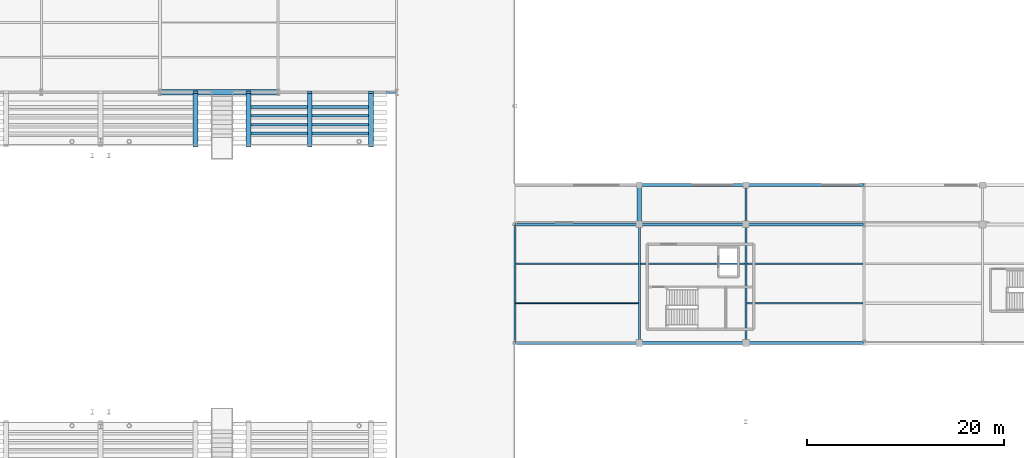
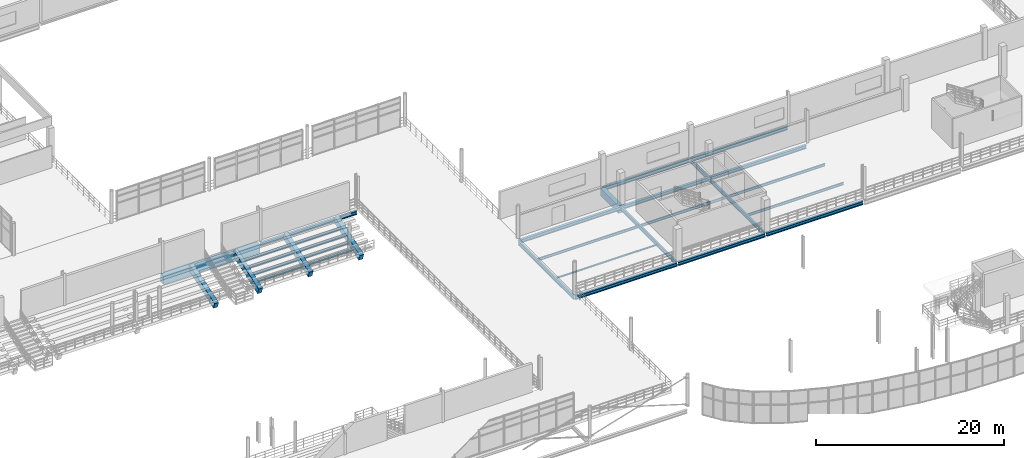
# One storey, part 35 of 89: 28 beams.
"""IFC4 building model written with IfcOpenShell, lengths in metres."""

import ifcopenshell
import ifcopenshell.guid

model = None  # the IFC model being written
_history = None  # IfcOwnerHistory: only IFC2X3 demands one
_inside = {}  # id of a spatial element -> (the spatial element, [elements in it])
_under = {}  # id of a project, library or spatial element -> (it, [spatial elements below it])
_declared = {}  # id of a project -> (the project, [libraries it declares])
_typed = {}  # id of a type object -> (the type object, [elements of that type])
_made_of = {}  # id of a material, layer set ... -> (it, [elements and type objects made of it])


def new_model(schema):
    """Start an empty IFC model of exactly this schema.

    Asked for "IFC4X3", IfcOpenShell would pick the latest addendum, in which some entities
    have other attributes; the version numbers below select the first issue.
    IFC2X3 requires an IfcOwnerHistory on every rooted entity: one is made here for all.
    """
    global model, _history
    if schema == "IFC4X3":
        model = ifcopenshell.file(schema_version=(4, 3, 0, 0))
    else:
        model = ifcopenshell.file(schema=schema)
    _inside.clear()
    _under.clear()
    _declared.clear()
    _typed.clear()
    _made_of.clear()
    _history = None
    if model.schema == "IFC2X3":
        org = make("IfcOrganization", Name="unknown")
        user = make(
            "IfcPersonAndOrganization",
            ThePerson=make("IfcPerson", FamilyName="unknown"),
            TheOrganization=org,
        )
        app = make(
            "IfcApplication",
            ApplicationDeveloper=org,
            Version="unknown",
            ApplicationFullName="unknown",
            ApplicationIdentifier="unknown",
        )
        _history = make(
            "IfcOwnerHistory",
            OwningUser=user,
            OwningApplication=app,
            ChangeAction="ADDED",
            CreationDate=0,
        )
    return model


def make(cls, **values):
    """One entity of the class cls with the attributes given. An attribute that is None is left unset."""
    return model.create_entity(
        cls, **{name: value for name, value in values.items() if value is not None}
    )


def rooted(cls, **values):
    """An entity with a GlobalId (a new one), such as an element, a storey or a relation."""
    return make(cls, GlobalId=ifcopenshell.guid.new(), OwnerHistory=_history, **values)


def si_unit(unit_type, name, prefix=None):
    """IfcSIUnit, for example si_unit("LENGTHUNIT", "METRE", prefix="MILLI")."""
    return make("IfcSIUnit", UnitType=unit_type, Prefix=prefix, Name=name)


def assignment(units):
    """IfcUnitAssignment: the units of a project."""
    return None if units is None else make("IfcUnitAssignment", Units=units)


def point(xyz):
    """IfcCartesianPoint."""
    return None if xyz is None else make("IfcCartesianPoint", Coordinates=xyz)


def direction(xyz):
    """IfcDirection."""
    return None if xyz is None else make("IfcDirection", DirectionRatios=xyz)


def frame(location, z_axis=None, x_axis=None):
    """IfcAxis2Placement3D, a coordinate frame: its origin and axes. An axis left out is left unset."""
    return make(
        "IfcAxis2Placement3D",
        Location=point(location),
        Axis=direction(z_axis),
        RefDirection=direction(x_axis),
    )


def frame_2d(location, x_axis=None):
    """IfcAxis2Placement2D, a coordinate frame in the plane: its origin and x axis."""
    return make(
        "IfcAxis2Placement2D", Location=point(location), RefDirection=direction(x_axis)
    )


def origin():
    """The frame at (0, 0, 0) with its axes left unset."""
    return frame((0.0, 0.0, 0.0))


def origin_2d():
    """The frame at (0, 0) in the plane with its x axis left unset."""
    return frame_2d((0.0, 0.0))


def place(relative_to, where):
    """IfcLocalPlacement: puts the frame where relative to a parent placement (None: the world)."""
    return make(
        "IfcLocalPlacement", PlacementRelTo=relative_to, RelativePlacement=where
    )


def context(
    kind, dimensions, precision=None, world=None, true_north=None, identifier=None
):
    """IfcGeometricRepresentationContext, for example the 3D "Model" context."""
    return make(
        "IfcGeometricRepresentationContext",
        ContextIdentifier=identifier,
        ContextType=kind,
        CoordinateSpaceDimension=dimensions,
        Precision=precision,
        WorldCoordinateSystem=world,
        TrueNorth=true_north,
    )


def subcontext(parent, identifier, kind, view, scale=None):
    """IfcGeometricRepresentationSubContext, for example "Body" below "Model"."""
    return make(
        "IfcGeometricRepresentationSubContext",
        ContextIdentifier=identifier,
        ContextType=kind,
        ParentContext=parent,
        TargetScale=scale,
        TargetView=view,
    )


def project(units=None, contexts=None):
    """IfcProject with its units and contexts."""
    return rooted(
        "IfcProject",
        Name="project",
        RepresentationContexts=contexts,
        UnitsInContext=assignment(units),
    )


def spatial(cls, under=None, at=None, **own):
    """A site, building, storey or space (cls), placed at a placement, below another one or the project."""
    s = rooted(cls, ObjectPlacement=at, **own)
    if under is not None:
        _under.setdefault(under.id(), (under, []))[1].append(s)
    return s


def profile(cls, at=None, kind="AREA", **sizes):
    """A parametric profile (cls). Its sizes go by their IFC names, for example OverallWidth=200.0."""
    return make(cls, ProfileType=kind, Position=at, **sizes)


def rectangle(**sizes):
    """IfcRectangleProfileDef."""
    return profile("IfcRectangleProfileDef", **sizes)


def i_section(**sizes):
    """IfcIShapeProfileDef."""
    return profile("IfcIShapeProfileDef", **sizes)


def extrude(swept, where, along, depth):
    """IfcExtrudedAreaSolid: the profile swept, set in the frame where, extruded along a direction by depth."""
    return make(
        "IfcExtrudedAreaSolid",
        SweptArea=swept,
        Position=where,
        ExtrudedDirection=direction(along),
        Depth=depth,
    )


def shape(context_of_items, identifier, shape_type, items):
    """IfcShapeRepresentation: the items that make up one representation, for example the "Body"."""
    return make(
        "IfcShapeRepresentation",
        ContextOfItems=context_of_items,
        RepresentationIdentifier=identifier,
        RepresentationType=shape_type,
        Items=items,
    )


def material(Name=None, Category=None):
    """IfcMaterial."""
    return make("IfcMaterial", Name=Name, Category=Category)


def material_profile(
    of_material, cross_section, Name=None, Category=None, Priority=None
):
    """IfcMaterialProfile: a cross section and its material."""
    return make(
        "IfcMaterialProfile",
        Name=Name,
        Material=of_material,
        Profile=cross_section,
        Priority=Priority,
        Category=Category,
    )


def profile_set(profiles, Name=None, composite=None):
    """IfcMaterialProfileSet."""
    return make(
        "IfcMaterialProfileSet",
        Name=Name,
        MaterialProfiles=profiles,
        CompositeProfile=composite,
    )


def made_of(thing, what):
    """Note that an element or type object is made of a material, layer set ...; save() writes the relation."""
    if what is not None:
        _made_of.setdefault(what.id(), (what, []))[1].append(thing)
    return thing


def type_object(cls, material=None, **own):
    """A type object (cls), such as IfcWallType, which elements share."""
    return made_of(rooted(cls, **own), material)


def element(
    cls,
    number,
    at=None,
    inside=None,
    cuts=None,
    type_object=None,
    material=None,
    context=None,
    identifier="Body",
    shape_type=None,
    held_by="IfcProductDefinitionShape",
    body=None,
    shapes=None,
    **own,
):
    """One element of the class cls, such as IfcWall. Its Tag is "e" and its number.

    at: its placement. inside: the storey or other place that contains it. cuts: it is an
    opening in that element (IfcRelVoidsElement). A single representation is given by context,
    identifier, shape_type and body (its items); several are given by shapes. held_by: the class
    of the entity that holds the representations. save() writes the other relations.
    """
    e = rooted(cls, Tag="e%d" % number, ObjectPlacement=at, **own)
    if body is not None:
        shapes = [shape(context, identifier, shape_type, body)]
    if shapes is not None:
        e.Representation = make(held_by, Representations=shapes)
    if inside is not None:
        _inside.setdefault(inside.id(), (inside, []))[1].append(e)
    if cuts is not None:
        rooted(
            "IfcRelVoidsElement", RelatingBuildingElement=cuts, RelatedOpeningElement=e
        )
    if type_object is not None:
        _typed.setdefault(type_object.id(), (type_object, []))[1].append(e)
    return made_of(e, material)


def aggregate(whole, parts):
    """IfcRelAggregates: a whole, such as a stair, and the parts it consists of."""
    return rooted("IfcRelAggregates", RelatingObject=whole, RelatedObjects=parts)


def save(model, path):
    """Write the relations noted so far, then the file.

    IfcRelAggregates (storeys below a building ...), IfcRelContainedInSpatialStructure (elements
    in a storey), IfcRelDefinesByType, IfcRelAssociatesMaterial and IfcRelDeclares: one each for
    every whole, place, type object, material and project.
    """
    for whole, parts in _under.values():
        aggregate(whole, parts)
    for where, things in _inside.values():
        rooted(
            "IfcRelContainedInSpatialStructure",
            RelatedElements=things,
            RelatingStructure=where,
        )
    for kind, things in _typed.values():
        rooted("IfcRelDefinesByType", RelatedObjects=things, RelatingType=kind)
    for what, things in _made_of.values():
        rooted("IfcRelAssociatesMaterial", RelatedObjects=things, RelatingMaterial=what)
    for by, libraries in _declared.values():
        rooted("IfcRelDeclares", RelatingContext=by, RelatedDefinitions=libraries)
    model.write(path)


model = new_model("IFC4")

# Units and contexts
model_context = context("Model", 3, precision=1e-05, world=origin(), true_north=direction((0.0, 1.0)))
body_context = subcontext(model_context, "Body", "Model", "MODEL_VIEW")
ifc_project = project(units=[si_unit("LENGTHUNIT", "METRE"), si_unit("AREAUNIT", "SQUARE_METRE"), si_unit("VOLUMEUNIT", "CUBIC_METRE"), si_unit("PLANEANGLEUNIT", "RADIAN"), si_unit("MASSUNIT", "GRAM", prefix="KILO"), si_unit("THERMODYNAMICTEMPERATUREUNIT", "KELVIN"), si_unit("POWERUNIT", "WATT")], contexts=[model_context])

# Site, building, storey
site_placement = place(None, origin())
site = spatial("IfcSite", under=ifc_project, at=site_placement, CompositionType="ELEMENT")
building_placement = place(site_placement, origin())
building = spatial("IfcBuilding", under=site, at=building_placement, Name="Solmara Park Aquatics Centre", CompositionType="ELEMENT")
storey_placement = place(building_placement, frame((0.0, 0.0, 5.39990234375)))
storey = spatial("IfcBuildingStorey", under=building, at=storey_placement, Name="L01", CompositionType="ELEMENT", Elevation=5.39990234375)

# Beams
ifc_material_1 = material(Name="Structural Steel S355", Category="steel")
ifc_material_profile_1 = material_profile(ifc_material_1, i_section(OverallWidth=0.280029296875, OverallDepth=0.27001953125, WebThickness=0.008056640625, FlangeThickness=0.012939453125, FilletRadius=0.02392578125, at=origin_2d()), Name="HEA 280")
ifc_profile_set_1 = profile_set([ifc_material_profile_1], Name="Structural Steel S355")
beam_type_1 = type_object("IfcBeamType", Name="STR-BM-HEA280", PredefinedType="BEAM", material=ifc_profile_set_1)
for number, where, z_axis, x_axis, name in (
    (1, (69.60009765625, 57.81494140625, -1.954833984375), (1.0, 0.0, 0.0), (0.0, 1.0, 0.0), "Lower Stand Cross-Tie Girder N3 Row 2"),
    (2, (69.60009765625, 58.715087890625, -1.594970703125), (1.0, 0.0, 0.0), (0.0, 1.0, 0.0), "Lower Stand Cross-Tie Girder N3 Row 3"),
    (3, (69.60009765625, 59.614990234375, -1.23486328125), (1.0, 0.0, 0.0), (0.0, 1.0, 0.0), "Lower Stand Cross-Tie Girder N3 Row 4"),
    (4, (69.60009765625, 60.514892578125, -0.875), (1.0, 0.0, 0.0), (0.0, 1.0, 0.0), "Lower Stand Cross-Tie Girder N3 Row 5"),
):
    element("IfcBeam", number, at=place(storey_placement, frame(where, z_axis=z_axis, x_axis=x_axis)), inside=storey, type_object=beam_type_1, Name=name, PredefinedType="BEAM", context=body_context, shape_type="SweptSolid", body=[
        extrude(i_section(OverallWidth=0.280029296875, OverallDepth=0.27001953125, WebThickness=0.008056640625, FlangeThickness=0.012939453125, FilletRadius=0.02392578125, at=origin_2d()), origin(), (0.0, 0.0, 1.0), 12.39990234375),
    ])
ifc_material_profile_2 = material_profile(ifc_material_1, i_section(OverallWidth=0.300048828125, OverallDepth=0.43994140625, WebThickness=0.011474609375, FlangeThickness=0.02099609375, FilletRadius=0.027099609375, at=origin_2d()), Name="HEA 450")
ifc_profile_set_2 = profile_set([ifc_material_profile_2], Name="Structural Steel S355")
beam_type_2 = type_object("IfcBeamType", Name="STR-BM-HEA450", PredefinedType="BEAM", material=ifc_profile_set_2)
beam_1_placement = place(storey_placement, frame((96.679931640625, 36.60009765625, -0.539794921875), z_axis=(1.0, 0.0, 0.0), x_axis=(0.0, 1.0, 0.0)))
element("IfcBeam", 5, at=beam_1_placement, inside=storey, type_object=beam_type_2, Name="Girder BM-L01-0201", PredefinedType="BEAM", context=body_context, shape_type="SweptSolid", body=[
    extrude(i_section(OverallWidth=0.300048828125, OverallDepth=0.43994140625, WebThickness=0.011474609375, FlangeThickness=0.02099609375, FilletRadius=0.027099609375, at=origin_2d()), origin(), (0.0, 0.0, 1.0), 12.440185546875),
])
beam_2_placement = place(storey_placement, frame((109.280029296875, 36.60009765625, -0.539794921875), z_axis=(1.0, 0.0, 0.0), x_axis=(0.0, 1.0, 0.0)))
element("IfcBeam", 6, at=beam_2_placement, inside=storey, type_object=beam_type_2, Name="Girder BM-L01-0202", PredefinedType="BEAM", context=body_context, shape_type="SweptSolid", body=[
    extrude(i_section(OverallWidth=0.300048828125, OverallDepth=0.43994140625, WebThickness=0.011474609375, FlangeThickness=0.02099609375, FilletRadius=0.027099609375, at=origin_2d()), origin(), (0.0, 0.0, 1.0), 10.639892578125),
])
beam_3_placement = place(storey_placement, frame((120.080078125, 36.60009765625, -0.539794921875), z_axis=(1.0, 0.0, 0.0), x_axis=(0.0, 1.0, 0.0)))
element("IfcBeam", 7, at=beam_3_placement, inside=storey, type_object=beam_type_2, Name="Girder BM-L01-0203", PredefinedType="BEAM", context=body_context, shape_type="SweptSolid", body=[
    extrude(i_section(OverallWidth=0.300048828125, OverallDepth=0.43994140625, WebThickness=0.011474609375, FlangeThickness=0.02099609375, FilletRadius=0.027099609375, at=origin_2d()), origin(), (0.0, 0.0, 1.0), 11.83984375),
])
beam_4_placement = place(storey_placement, frame((96.679931640625, 48.60009765625, -0.539794921875), z_axis=(1.0, 0.0, 0.0), x_axis=(0.0, 1.0, 0.0)))
element("IfcBeam", 8, at=beam_4_placement, inside=storey, type_object=beam_type_2, Name="Girder BM-L01-0206", PredefinedType="BEAM", context=body_context, shape_type="SweptSolid", body=[
    extrude(i_section(OverallWidth=0.300048828125, OverallDepth=0.43994140625, WebThickness=0.011474609375, FlangeThickness=0.02099609375, FilletRadius=0.027099609375, at=origin_2d()), origin(), (0.0, 0.0, 1.0), 12.440185546875),
])
beam_5_placement = place(storey_placement, frame((109.280029296875, 48.60009765625, -0.539794921875), z_axis=(1.0, 0.0, 0.0), x_axis=(0.0, 1.0, 0.0)))
element("IfcBeam", 9, at=beam_5_placement, inside=storey, type_object=beam_type_2, Name="Girder BM-L01-0207", PredefinedType="BEAM", context=body_context, shape_type="SweptSolid", body=[
    extrude(i_section(OverallWidth=0.300048828125, OverallDepth=0.43994140625, WebThickness=0.011474609375, FlangeThickness=0.02099609375, FilletRadius=0.027099609375, at=origin_2d()), origin(), (0.0, 0.0, 1.0), 10.639892578125),
])
beam_6_placement = place(storey_placement, frame((120.080078125, 48.60009765625, -0.539794921875), z_axis=(1.0, 0.0, 0.0), x_axis=(0.0, 1.0, 0.0)))
element("IfcBeam", 10, at=beam_6_placement, inside=storey, type_object=beam_type_2, Name="Girder BM-L01-0208", PredefinedType="BEAM", context=body_context, shape_type="SweptSolid", body=[
    extrude(i_section(OverallWidth=0.300048828125, OverallDepth=0.43994140625, WebThickness=0.011474609375, FlangeThickness=0.02099609375, FilletRadius=0.027099609375, at=origin_2d()), origin(), (0.0, 0.0, 1.0), 11.83984375),
])
beam_7_placement = place(storey_placement, frame((109.280029296875, 52.60009765625, -0.539794921875), z_axis=(1.0, 0.0, 0.0), x_axis=(0.0, 1.0, 0.0)))
element("IfcBeam", 11, at=beam_7_placement, inside=storey, type_object=beam_type_2, Name="Girder BM-L01-0211", PredefinedType="BEAM", context=body_context, shape_type="SweptSolid", body=[
    extrude(i_section(OverallWidth=0.300048828125, OverallDepth=0.43994140625, WebThickness=0.011474609375, FlangeThickness=0.02099609375, FilletRadius=0.027099609375, at=origin_2d()), origin(), (0.0, 0.0, 1.0), 10.639892578125),
])
beam_8_placement = place(storey_placement, frame((120.080078125, 52.60009765625, -0.539794921875), z_axis=(1.0, 0.0, 0.0), x_axis=(0.0, 1.0, 0.0)))
element("IfcBeam", 12, at=beam_8_placement, inside=storey, type_object=beam_type_2, Name="Girder BM-L01-0212", PredefinedType="BEAM", context=body_context, shape_type="SweptSolid", body=[
    extrude(i_section(OverallWidth=0.300048828125, OverallDepth=0.43994140625, WebThickness=0.011474609375, FlangeThickness=0.02099609375, FilletRadius=0.027099609375, at=origin_2d()), origin(), (0.0, 0.0, 1.0), 11.83984375),
])
ifc_material_profile_3 = material_profile(ifc_material_1, i_section(OverallWidth=0.300048828125, OverallDepth=0.449951171875, WebThickness=0.013916015625, FlangeThickness=0.02587890625, FilletRadius=0.027099609375, at=origin_2d()), Name="HEB 450")
ifc_profile_set_3 = profile_set([ifc_material_profile_3], Name="Structural Steel S355")
beam_type_3 = type_object("IfcBeamType", Name="STR-BM-HEB450", PredefinedType="BEAM", material=ifc_profile_set_3)
beam_9_placement = place(storey_placement, frame((72.679931640625, 62.0, -0.625), z_axis=(1.0, 0.0, 0.0), x_axis=(0.0, 1.0, 0.0)))
element("IfcBeam", 13, at=beam_9_placement, inside=storey, type_object=beam_type_3, Name="Girder BM-L01-0181", PredefinedType="BEAM", context=body_context, shape_type="SweptSolid", body=[
    extrude(i_section(OverallWidth=0.300048828125, OverallDepth=0.449951171875, WebThickness=0.013916015625, FlangeThickness=0.02587890625, FilletRadius=0.027099609375, at=origin_2d()), origin(), (0.0, 0.0, 1.0), 11.840087890625),
])
ifc_material_profile_4 = material_profile(ifc_material_1, i_section(OverallWidth=0.199951171875, OverallDepth=0.5, WebThickness=0.01025390625, FlangeThickness=0.01611328125, FilletRadius=0.02099609375, at=origin_2d()), Name="IPE 500")
ifc_profile_set_4 = profile_set([ifc_material_profile_4], Name="Structural Steel S355")
beam_type_4 = type_object("IfcBeamType", Name="STR-BM-IPE500", PredefinedType="BEAM", material=ifc_profile_set_4)
for number, where, z_axis, x_axis, name in (
    (14, (96.60009765625, 36.679931640625, -0.56982421875), (0.0, 1.0, 0.0), (-1.0, 0.0, 0.0), "Girder BM-L01-0215"),
    (15, (109.199951171875, 36.679931640625, -0.56982421875), (0.0, 1.0, 0.0), (-1.0, 0.0, 0.0), "Girder BM-L01-0216"),
    (16, (120.0, 36.679931640625, -0.56982421875), (0.0, 1.0, 0.0), (-1.0, 0.0, 0.0), "Girder BM-L01-0218"),
):
    element("IfcBeam", number, at=place(storey_placement, frame(where, z_axis=z_axis, x_axis=x_axis)), inside=storey, type_object=beam_type_4, Name=name, PredefinedType="BEAM", context=body_context, shape_type="SweptSolid", body=[
        extrude(i_section(OverallWidth=0.199951171875, OverallDepth=0.5, WebThickness=0.01025390625, FlangeThickness=0.01611328125, FilletRadius=0.02099609375, at=origin_2d()), origin(), (0.0, 0.0, 1.0), 11.840087890625),
    ])
beam_10_placement = place(storey_placement, frame((120.0, 48.679931640625, -0.56982421875), z_axis=(0.0, 1.0, 0.0), x_axis=(-1.0, 0.0, 0.0)))
element("IfcBeam", 17, at=beam_10_placement, inside=storey, type_object=beam_type_4, Name="Girder BM-L01-0219", PredefinedType="BEAM", context=body_context, shape_type="SweptSolid", body=[
    extrude(i_section(OverallWidth=0.199951171875, OverallDepth=0.5, WebThickness=0.01025390625, FlangeThickness=0.01611328125, FilletRadius=0.02099609375, at=origin_2d()), origin(), (0.0, 0.0, 1.0), 3.840087890625),
])
ifc_material_2 = material(Name="Concrete C40/50", Category="concrete")
ifc_material_profile_5 = material_profile(ifc_material_2, rectangle(XDim=0.5, YDim=0.949951171875, at=origin_2d()), Name="RC 500x950")
ifc_profile_set_5 = profile_set([ifc_material_profile_5], Name="Concrete C40/50")
beam_type_5 = type_object("IfcBeamType", Name="STR-BM-RC500x950", PredefinedType="BEAM", material=ifc_profile_set_5)
beam_11_placement = place(storey_placement, frame((109.199951171875, 48.679931640625, -0.794921875), z_axis=(0.0, 1.0, 0.0), x_axis=(-1.0, 0.0, 0.0)))
element("IfcBeam", 18, at=beam_11_placement, inside=storey, type_object=beam_type_5, Name="Girder BM-L01-0217", PredefinedType="BEAM", context=body_context, shape_type="SweptSolid", body=[
    extrude(rectangle(XDim=0.5, YDim=0.949951171875, at=origin_2d()), origin(), (0.0, 0.0, 1.0), 3.840087890625),
])
ifc_material_profile_6 = material_profile(ifc_material_2, rectangle(XDim=0.60009765625, YDim=1.10009765625, at=origin_2d()), Name="RC 600x1100")
ifc_profile_set_6 = profile_set([ifc_material_profile_6], Name="Concrete C40/50")
beam_type_6 = type_object("IfcBeamType", Name="STR-BM-RC600x1100", PredefinedType="BEAM", material=ifc_profile_set_6)
beam_12_placement = place(storey_placement, frame((60.679931640625, 62.0, -0.949951171875), z_axis=(1.0, 0.0, 0.0), x_axis=(0.0, 1.0, 0.0)))
element("IfcBeam", 19, at=beam_12_placement, inside=storey, type_object=beam_type_6, Name="Girder BM-L01-0180", PredefinedType="BEAM", context=body_context, shape_type="SweptSolid", body=[
    extrude(rectangle(XDim=0.60009765625, YDim=1.10009765625, at=origin_2d()), origin(), (0.0, 0.0, 1.0), 11.840087890625),
])
ifc_material_profile_7 = material_profile(ifc_material_1, i_section(OverallWidth=0.10009765625, OverallDepth=0.199951171875, WebThickness=0.005615234375, FlangeThickness=0.008544921875, FilletRadius=0.011962890625, at=origin_2d()), Name="IPE 200")
ifc_profile_set_7 = profile_set([ifc_material_profile_7], Name="Structural Steel S355")
beam_type_7 = type_object("IfcBeamType", Name="STR-JST-IPE200", PredefinedType="JOIST", material=ifc_profile_set_7)
beam_13_placement = place(storey_placement, frame((96.699951171875, 40.60009765625, -0.419921875), z_axis=(1.0, 0.0, 0.0), x_axis=(0.0, 1.0, 0.0)))
element("IfcBeam", 20, at=beam_13_placement, inside=storey, type_object=beam_type_7, Name="Floor Joist JST-L01-0124", PredefinedType="JOIST", context=body_context, shape_type="SweptSolid", body=[
    extrude(i_section(OverallWidth=0.10009765625, OverallDepth=0.199951171875, WebThickness=0.005615234375, FlangeThickness=0.008544921875, FilletRadius=0.011962890625, at=origin_2d()), origin(), (0.0, 0.0, 1.0), 12.400146484375),
])
ifc_material_profile_8 = material_profile(ifc_material_1, i_section(OverallWidth=0.159912109375, OverallDepth=0.330078125, WebThickness=0.007568359375, FlangeThickness=0.011474609375, FilletRadius=0.01806640625, at=origin_2d()), Name="IPE 330")
ifc_profile_set_8 = profile_set([ifc_material_profile_8], Name="Structural Steel S355")
beam_type_8 = type_object("IfcBeamType", Name="STR-JST-IPE330", PredefinedType="JOIST", material=ifc_profile_set_8)
beam_14_placement = place(storey_placement, frame((96.699951171875, 44.60009765625, -0.48486328125), z_axis=(1.0, 0.0, 0.0), x_axis=(0.0, 1.0, 0.0)))
element("IfcBeam", 21, at=beam_14_placement, inside=storey, type_object=beam_type_8, Name="Floor Joist JST-L01-0125", PredefinedType="JOIST", context=body_context, shape_type="SweptSolid", body=[
    extrude(i_section(OverallWidth=0.159912109375, OverallDepth=0.330078125, WebThickness=0.007568359375, FlangeThickness=0.011474609375, FilletRadius=0.01806640625, at=origin_2d()), origin(), (0.0, 0.0, 1.0), 12.400146484375),
])
beam_15_placement = place(storey_placement, frame((109.300048828125, 44.60009765625, -0.48486328125), z_axis=(1.0, 0.0, 0.0), x_axis=(0.0, 1.0, 0.0)))
element("IfcBeam", 22, at=beam_15_placement, inside=storey, type_object=beam_type_8, Name="Floor Joist JST-L01-0126", PredefinedType="JOIST", context=body_context, shape_type="SweptSolid", body=[
    extrude(i_section(OverallWidth=0.159912109375, OverallDepth=0.330078125, WebThickness=0.007568359375, FlangeThickness=0.011474609375, FilletRadius=0.01806640625, at=origin_2d()), origin(), (0.0, 0.0, 1.0), 10.599853515625),
])
for number, where, z_axis, x_axis, name in (
    (23, (120.10009765625, 40.60009765625, -0.48486328125), (1.0, 0.0, 0.0), (0.0, 1.0, 0.0), "Floor Joist JST-L01-0127"),
    (24, (120.10009765625, 44.60009765625, -0.48486328125), (1.0, 0.0, 0.0), (0.0, 1.0, 0.0), "Floor Joist JST-L01-0128"),
):
    element("IfcBeam", number, at=place(storey_placement, frame(where, z_axis=z_axis, x_axis=x_axis)), inside=storey, type_object=beam_type_8, Name=name, PredefinedType="JOIST", context=body_context, shape_type="SweptSolid", body=[
        extrude(i_section(OverallWidth=0.159912109375, OverallDepth=0.330078125, WebThickness=0.007568359375, FlangeThickness=0.011474609375, FilletRadius=0.01806640625, at=origin_2d()), origin(), (0.0, 0.0, 1.0), 11.7998046875),
    ])
ifc_material_profile_9 = material_profile(ifc_material_2, rectangle(XDim=0.5, YDim=0.800048828125, at=origin_2d()), Name="RC 500x800")
ifc_profile_set_9 = profile_set([ifc_material_profile_9], Name="Concrete C40/50")
beam_type_9 = type_object("IfcBeamType", Name="STR-RKR-RC500x800", PredefinedType="USERDEFINED", material=ifc_profile_set_9)
for number, where, z_axis, x_axis, name in (
    (25, (64.199951171875, 56.60009765625, -2.31982421875), (0.0, 0.948691876161, 0.316202030521), (-1.0, 0.0, 0.0), "Spectator Stand RAKER Girder RKR-006"),
    (26, (69.60009765625, 56.60009765625, -2.31982421875), (0.0, 0.948691876161, 0.316202030521), (-1.0, 0.0, 0.0), "Spectator Stand RAKER Girder RKR-007"),
    (27, (75.800048828125, 56.60009765625, -2.31982421875), (0.0, 0.948691876161, 0.316202030521), (-1.0, 0.0, 0.0), "Spectator Stand RAKER Girder RKR-008"),
    (28, (82.0, 56.60009765625, -2.31982421875), (0.0, 0.948691876161, 0.316202030521), (-1.0, 0.0, 0.0), "Spectator Stand RAKER Girder RKR-009"),
):
    element("IfcBeam", number, at=place(storey_placement, frame(where, z_axis=z_axis, x_axis=x_axis)), inside=storey, type_object=beam_type_9, Name=name, ObjectType="RAKER", PredefinedType="USERDEFINED", context=body_context, shape_type="SweptSolid", body=[
        extrude(rectangle(XDim=0.5, YDim=0.800048828125, at=origin_2d()), origin(), (0.0, 0.0, 1.0), 5.69189453125),
    ])

save(model, "model.ifc")
